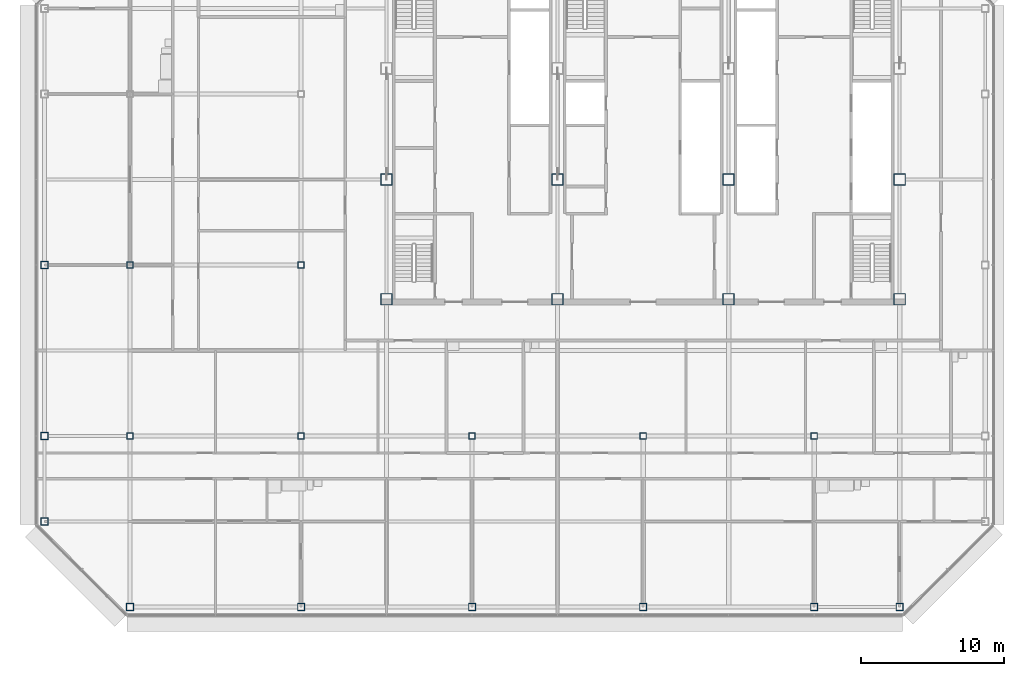
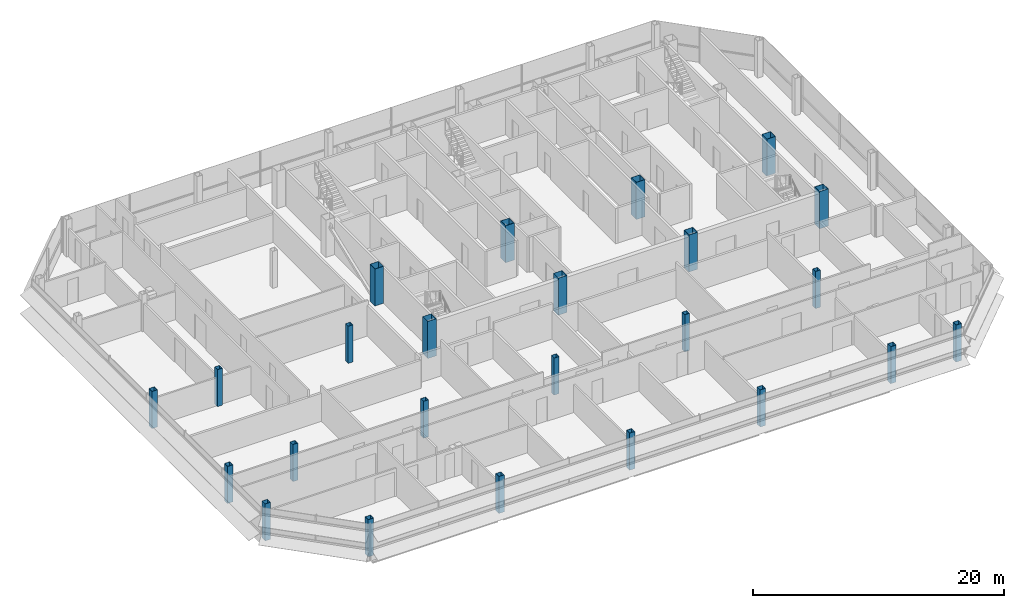
# One storey, part 1 of 27: 24 columns.
"""IFC4 building model written with IfcOpenShell, lengths in metres."""

from ifc_helpers import new_model, si_unit, direction, frame, origin, origin_2d, place, context, subcontext, project, spatial, hollow_rectangle, extrude, material, material_profile, profile_set, type_object, element, save


model = new_model("IFC4")

# Units and contexts
model_context = context("Model", 3, precision=1e-05, world=origin(), true_north=direction((0.0, 1.0)))
body_context = subcontext(model_context, "Body", "Model", "MODEL_VIEW")
ifc_project = project(units=[si_unit("LENGTHUNIT", "METRE"), si_unit("AREAUNIT", "SQUARE_METRE"), si_unit("VOLUMEUNIT", "CUBIC_METRE"), si_unit("PLANEANGLEUNIT", "RADIAN"), si_unit("MASSUNIT", "GRAM", prefix="KILO")], contexts=[model_context])

# Site, building, storey
site_placement = place(None, origin())
site = spatial("IfcSite", under=ifc_project, at=site_placement, CompositionType="ELEMENT")
building_placement = place(site_placement, origin())
building = spatial("IfcBuilding", under=site, at=building_placement, Name="Sorahane Residences", CompositionType="ELEMENT")
storey_placement = place(building_placement, frame((0.0, 0.0, 312.39990234375)))
storey = spatial("IfcBuildingStorey", under=building, at=storey_placement, Name="L74", CompositionType="ELEMENT", Elevation=312.39990234375)

# Columns
ifc_material_1 = material(Name="Steel Q355B", Category="steel")
ifc_material_profile_1 = material_profile(ifc_material_1, hollow_rectangle(XDim=0.449951171875, YDim=0.449951171875, WallThickness=0.02197265625, at=origin_2d()), Name="BOX 450x450x22")
ifc_profile_set_1 = profile_set([ifc_material_profile_1], Name="Steel Q355B")
column_type_1 = type_object("IfcColumnType", Name="Steel box column BOX 450x450x22 Q355B", PredefinedType="COLUMN", material=ifc_profile_set_1)
for number, where, z_axis, x_axis, name in (
    (1, (-12.0, 12.0, 0.0), (0.0, 0.0, 1.0), (1.0, 0.0, 0.0), "Column L74 m12/12"),
    (2, (-12.0, 24.0, 0.0), (0.0, 0.0, 1.0), (1.0, 0.0, 0.0), "Column L74 m12/24"),
    (3, (0.0, 12.0, 0.0), (0.0, 0.0, 1.0), (1.0, 0.0, 0.0), "Column L74 0/12"),
    (4, (0.0, 24.0, 0.0), (0.0, 0.0, 1.0), (1.0, 0.0, 0.0), "Column L74 0/24"),
    (5, (12.0, 12.0, 0.0), (0.0, 0.0, 1.0), (1.0, 0.0, 0.0), "Column L74 12/12"),
    (6, (24.0, 12.0, 0.0), (0.0, 0.0, 1.0), (1.0, 0.0, 0.0), "Column L74 24/12"),
    (7, (36.0, 12.0, 0.0), (0.0, 0.0, 1.0), (1.0, 0.0, 0.0), "Column L74 36/12"),
):
    element("IfcColumn", number, at=place(storey_placement, frame(where, z_axis=z_axis, x_axis=x_axis)), inside=storey, type_object=column_type_1, Name=name, PredefinedType="COLUMN", context=body_context, shape_type="SweptSolid", body=[
        extrude(hollow_rectangle(XDim=0.449951171875, YDim=0.449951171875, WallThickness=0.02197265625, at=origin_2d()), origin(), (0.0, 0.0, 1.0), 3.60009765625),
    ])
ifc_material_2 = material(Name="Steel Q355B", Category="steel")
ifc_material_profile_2 = material_profile(ifc_material_2, hollow_rectangle(XDim=0.5, YDim=0.5, WallThickness=0.02490234375, at=origin_2d()), Name="BOX 500x500x25")
ifc_profile_set_2 = profile_set([ifc_material_profile_2], Name="Steel Q355B")
column_type_2 = type_object("IfcColumnType", Name="Steel box column BOX 500x500x25 Q355B", PredefinedType="COLUMN", material=ifc_profile_set_2)
for number, where, z_axis, x_axis, name in (
    (8, (-18.0, 6.0, 0.0), (0.0, 0.0, 1.0), (1.0, 0.0, 0.0), "Column L74 m18/6"),
    (9, (-18.0, 12.0, 0.0), (0.0, 0.0, 1.0), (1.0, 0.0, 0.0), "Column L74 m18/12"),
    (10, (-18.0, 24.0, 0.0), (0.0, 0.0, 1.0), (1.0, 0.0, 0.0), "Column L74 m18/24"),
    (11, (-12.0, 0.0, 0.0), (0.0, 0.0, 1.0), (1.0, 0.0, 0.0), "Column L74 m12/0"),
    (12, (0.0, 0.0, 0.0), (0.0, 0.0, 1.0), (1.0, 0.0, 0.0), "Column L74 0/0"),
    (13, (12.0, 0.0, 0.0), (0.0, 0.0, 1.0), (1.0, 0.0, 0.0), "Column L74 12/0"),
    (14, (24.0, 0.0, 0.0), (0.0, 0.0, 1.0), (1.0, 0.0, 0.0), "Column L74 24/0"),
    (15, (36.0, 0.0, 0.0), (0.0, 0.0, 1.0), (1.0, 0.0, 0.0), "Column L74 36/0"),
    (16, (42.0, 0.0, 0.0), (0.0, 0.0, 1.0), (1.0, 0.0, 0.0), "Column L74 42/0"),
):
    element("IfcColumn", number, at=place(storey_placement, frame(where, z_axis=z_axis, x_axis=x_axis)), inside=storey, type_object=column_type_2, Name=name, PredefinedType="COLUMN", context=body_context, shape_type="SweptSolid", body=[
        extrude(hollow_rectangle(XDim=0.5, YDim=0.5, WallThickness=0.02490234375, at=origin_2d()), origin(), (0.0, 0.0, 1.0), 3.60009765625),
    ])
ifc_material_3 = material(Name="Steel Q355B", Category="steel")
ifc_material_profile_3 = material_profile(ifc_material_3, hollow_rectangle(XDim=0.800048828125, YDim=0.800048828125, WallThickness=0.02490234375, at=origin_2d()), Name="BOX 800x800x25")
ifc_profile_set_3 = profile_set([ifc_material_profile_3], Name="Steel Q355B")
column_type_3 = type_object("IfcColumnType", Name="Steel box column BOX 800x800x25 Q355B", PredefinedType="COLUMN", material=ifc_profile_set_3)
for number, where, z_axis, x_axis, name in (
    (17, (6.0, 21.60009765625, 0.0), (0.0, 0.0, 1.0), (1.0, 0.0, 0.0), "Column L74 6/21.6"),
    (18, (6.0, 30.0, 0.0), (0.0, 0.0, 1.0), (1.0, 0.0, 0.0), "Column L74 6/30"),
    (19, (18.0, 21.60009765625, 0.0), (0.0, 0.0, 1.0), (1.0, 0.0, 0.0), "Column L74 18/21.6"),
    (20, (18.0, 30.0, 0.0), (0.0, 0.0, 1.0), (1.0, 0.0, 0.0), "Column L74 18/30"),
    (21, (30.0, 21.60009765625, 0.0), (0.0, 0.0, 1.0), (1.0, 0.0, 0.0), "Column L74 30/21.6"),
    (22, (30.0, 30.0, 0.0), (0.0, 0.0, 1.0), (1.0, 0.0, 0.0), "Column L74 30/30"),
    (23, (42.0, 21.60009765625, 0.0), (0.0, 0.0, 1.0), (1.0, 0.0, 0.0), "Column L74 42/21.6"),
    (24, (42.0, 30.0, 0.0), (0.0, 0.0, 1.0), (1.0, 0.0, 0.0), "Column L74 42/30"),
):
    element("IfcColumn", number, at=place(storey_placement, frame(where, z_axis=z_axis, x_axis=x_axis)), inside=storey, type_object=column_type_3, Name=name, PredefinedType="COLUMN", context=body_context, shape_type="SweptSolid", body=[
        extrude(hollow_rectangle(XDim=0.800048828125, YDim=0.800048828125, WallThickness=0.02490234375, at=origin_2d()), origin(), (0.0, 0.0, 1.0), 3.60009765625),
    ])

save(model, "model.ifc")
